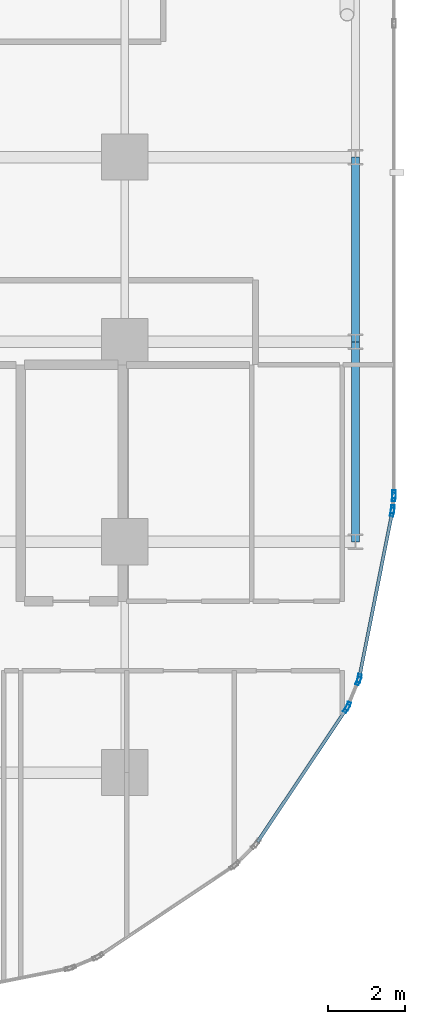
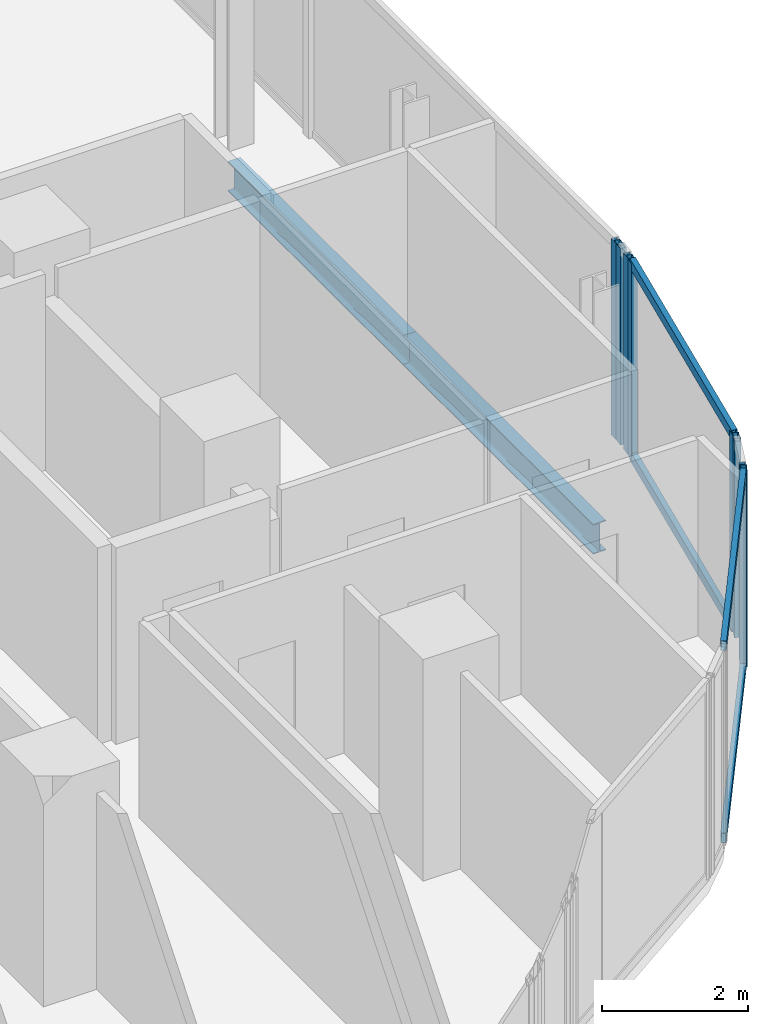
# One storey, part 18 of 34: 12 members, 2 beams, 5 elements without a shape of their own.
"""IFC4 building model written with IfcOpenShell, lengths in metres."""

import ifcopenshell
import ifcopenshell.guid

model = None  # the IFC model being written
_history = None  # IfcOwnerHistory: only IFC2X3 demands one
_inside = {}  # id of a spatial element -> (the spatial element, [elements in it])
_under = {}  # id of a project, library or spatial element -> (it, [spatial elements below it])
_declared = {}  # id of a project -> (the project, [libraries it declares])
_typed = {}  # id of a type object -> (the type object, [elements of that type])
_made_of = {}  # id of a material, layer set ... -> (it, [elements and type objects made of it])


def new_model(schema):
    """Start an empty IFC model of exactly this schema.

    Asked for "IFC4X3", IfcOpenShell would pick the latest addendum, in which some entities
    have other attributes; the version numbers below select the first issue.
    IFC2X3 requires an IfcOwnerHistory on every rooted entity: one is made here for all.
    """
    global model, _history
    if schema == "IFC4X3":
        model = ifcopenshell.file(schema_version=(4, 3, 0, 0))
    else:
        model = ifcopenshell.file(schema=schema)
    _inside.clear()
    _under.clear()
    _declared.clear()
    _typed.clear()
    _made_of.clear()
    _history = None
    if model.schema == "IFC2X3":
        org = make("IfcOrganization", Name="unknown")
        user = make(
            "IfcPersonAndOrganization",
            ThePerson=make("IfcPerson", FamilyName="unknown"),
            TheOrganization=org,
        )
        app = make(
            "IfcApplication",
            ApplicationDeveloper=org,
            Version="unknown",
            ApplicationFullName="unknown",
            ApplicationIdentifier="unknown",
        )
        _history = make(
            "IfcOwnerHistory",
            OwningUser=user,
            OwningApplication=app,
            ChangeAction="ADDED",
            CreationDate=0,
        )
    return model


def make(cls, **values):
    """One entity of the class cls with the attributes given. An attribute that is None is left unset."""
    return model.create_entity(
        cls, **{name: value for name, value in values.items() if value is not None}
    )


def rooted(cls, **values):
    """An entity with a GlobalId (a new one), such as an element, a storey or a relation."""
    return make(cls, GlobalId=ifcopenshell.guid.new(), OwnerHistory=_history, **values)


def si_unit(unit_type, name, prefix=None):
    """IfcSIUnit, for example si_unit("LENGTHUNIT", "METRE", prefix="MILLI")."""
    return make("IfcSIUnit", UnitType=unit_type, Prefix=prefix, Name=name)


def assignment(units):
    """IfcUnitAssignment: the units of a project."""
    return None if units is None else make("IfcUnitAssignment", Units=units)


def point(xyz):
    """IfcCartesianPoint."""
    return None if xyz is None else make("IfcCartesianPoint", Coordinates=xyz)


def direction(xyz):
    """IfcDirection."""
    return None if xyz is None else make("IfcDirection", DirectionRatios=xyz)


def frame(location, z_axis=None, x_axis=None):
    """IfcAxis2Placement3D, a coordinate frame: its origin and axes. An axis left out is left unset."""
    return make(
        "IfcAxis2Placement3D",
        Location=point(location),
        Axis=direction(z_axis),
        RefDirection=direction(x_axis),
    )


def frame_2d(location, x_axis=None):
    """IfcAxis2Placement2D, a coordinate frame in the plane: its origin and x axis."""
    return make(
        "IfcAxis2Placement2D", Location=point(location), RefDirection=direction(x_axis)
    )


def origin():
    """The frame at (0, 0, 0) with its axes left unset."""
    return frame((0.0, 0.0, 0.0))


def origin_2d():
    """The frame at (0, 0) in the plane with its x axis left unset."""
    return frame_2d((0.0, 0.0))


def place(relative_to, where):
    """IfcLocalPlacement: puts the frame where relative to a parent placement (None: the world)."""
    return make(
        "IfcLocalPlacement", PlacementRelTo=relative_to, RelativePlacement=where
    )


def context(
    kind, dimensions, precision=None, world=None, true_north=None, identifier=None
):
    """IfcGeometricRepresentationContext, for example the 3D "Model" context."""
    return make(
        "IfcGeometricRepresentationContext",
        ContextIdentifier=identifier,
        ContextType=kind,
        CoordinateSpaceDimension=dimensions,
        Precision=precision,
        WorldCoordinateSystem=world,
        TrueNorth=true_north,
    )


def subcontext(parent, identifier, kind, view, scale=None):
    """IfcGeometricRepresentationSubContext, for example "Body" below "Model"."""
    return make(
        "IfcGeometricRepresentationSubContext",
        ContextIdentifier=identifier,
        ContextType=kind,
        ParentContext=parent,
        TargetScale=scale,
        TargetView=view,
    )


def project(units=None, contexts=None):
    """IfcProject with its units and contexts."""
    return rooted(
        "IfcProject",
        Name="project",
        RepresentationContexts=contexts,
        UnitsInContext=assignment(units),
    )


def spatial(cls, under=None, at=None, **own):
    """A site, building, storey or space (cls), placed at a placement, below another one or the project."""
    s = rooted(cls, ObjectPlacement=at, **own)
    if under is not None:
        _under.setdefault(under.id(), (under, []))[1].append(s)
    return s


def profile(cls, at=None, kind="AREA", **sizes):
    """A parametric profile (cls). Its sizes go by their IFC names, for example OverallWidth=200.0."""
    return make(cls, ProfileType=kind, Position=at, **sizes)


def hollow_rectangle(**sizes):
    """IfcRectangleHollowProfileDef."""
    return profile("IfcRectangleHollowProfileDef", **sizes)


def i_section(**sizes):
    """IfcIShapeProfileDef."""
    return profile("IfcIShapeProfileDef", **sizes)


def extrude(swept, where, along, depth):
    """IfcExtrudedAreaSolid: the profile swept, set in the frame where, extruded along a direction by depth."""
    return make(
        "IfcExtrudedAreaSolid",
        SweptArea=swept,
        Position=where,
        ExtrudedDirection=direction(along),
        Depth=depth,
    )


def shape(context_of_items, identifier, shape_type, items):
    """IfcShapeRepresentation: the items that make up one representation, for example the "Body"."""
    return make(
        "IfcShapeRepresentation",
        ContextOfItems=context_of_items,
        RepresentationIdentifier=identifier,
        RepresentationType=shape_type,
        Items=items,
    )


def material(Name=None, Category=None):
    """IfcMaterial."""
    return make("IfcMaterial", Name=Name, Category=Category)


def layer(
    of_material, thickness, ventilated=None, Name=None, Category=None, Priority=None
):
    """IfcMaterialLayer: one layer of a wall or slab, of a material (None: an air gap)."""
    return make(
        "IfcMaterialLayer",
        Material=of_material,
        LayerThickness=thickness,
        IsVentilated=ventilated,
        Name=Name,
        Category=Category,
        Priority=Priority,
    )


def layer_set(layers, Name=None):
    """IfcMaterialLayerSet."""
    return make("IfcMaterialLayerSet", MaterialLayers=layers, LayerSetName=Name)


def material_profile(
    of_material, cross_section, Name=None, Category=None, Priority=None
):
    """IfcMaterialProfile: a cross section and its material."""
    return make(
        "IfcMaterialProfile",
        Name=Name,
        Material=of_material,
        Profile=cross_section,
        Priority=Priority,
        Category=Category,
    )


def profile_set(profiles, Name=None, composite=None):
    """IfcMaterialProfileSet."""
    return make(
        "IfcMaterialProfileSet",
        Name=Name,
        MaterialProfiles=profiles,
        CompositeProfile=composite,
    )


def made_of(thing, what):
    """Note that an element or type object is made of a material, layer set ...; save() writes the relation."""
    if what is not None:
        _made_of.setdefault(what.id(), (what, []))[1].append(thing)
    return thing


def type_object(cls, material=None, **own):
    """A type object (cls), such as IfcWallType, which elements share."""
    return made_of(rooted(cls, **own), material)


def element(
    cls,
    number,
    at=None,
    inside=None,
    cuts=None,
    type_object=None,
    material=None,
    context=None,
    identifier="Body",
    shape_type=None,
    held_by="IfcProductDefinitionShape",
    body=None,
    shapes=None,
    **own,
):
    """One element of the class cls, such as IfcWall. Its Tag is "e" and its number.

    at: its placement. inside: the storey or other place that contains it. cuts: it is an
    opening in that element (IfcRelVoidsElement). A single representation is given by context,
    identifier, shape_type and body (its items); several are given by shapes. held_by: the class
    of the entity that holds the representations. save() writes the other relations.
    """
    e = rooted(cls, Tag="e%d" % number, ObjectPlacement=at, **own)
    if body is not None:
        shapes = [shape(context, identifier, shape_type, body)]
    if shapes is not None:
        e.Representation = make(held_by, Representations=shapes)
    if inside is not None:
        _inside.setdefault(inside.id(), (inside, []))[1].append(e)
    if cuts is not None:
        rooted(
            "IfcRelVoidsElement", RelatingBuildingElement=cuts, RelatedOpeningElement=e
        )
    if type_object is not None:
        _typed.setdefault(type_object.id(), (type_object, []))[1].append(e)
    return made_of(e, material)


def aggregate(whole, parts):
    """IfcRelAggregates: a whole, such as a stair, and the parts it consists of."""
    return rooted("IfcRelAggregates", RelatingObject=whole, RelatedObjects=parts)


def save(model, path):
    """Write the relations noted so far, then the file.

    IfcRelAggregates (storeys below a building ...), IfcRelContainedInSpatialStructure (elements
    in a storey), IfcRelDefinesByType, IfcRelAssociatesMaterial and IfcRelDeclares: one each for
    every whole, place, type object, material and project.
    """
    for whole, parts in _under.values():
        aggregate(whole, parts)
    for where, things in _inside.values():
        rooted(
            "IfcRelContainedInSpatialStructure",
            RelatedElements=things,
            RelatingStructure=where,
        )
    for kind, things in _typed.values():
        rooted("IfcRelDefinesByType", RelatedObjects=things, RelatingType=kind)
    for what, things in _made_of.values():
        rooted("IfcRelAssociatesMaterial", RelatedObjects=things, RelatingMaterial=what)
    for by, libraries in _declared.values():
        rooted("IfcRelDeclares", RelatingContext=by, RelatedDefinitions=libraries)
    model.write(path)


model = new_model("IFC4")

# Units and contexts
model_context = context("Model", 3, precision=1e-05, world=origin(), true_north=direction((0.0, 1.0)))
body_context = subcontext(model_context, "Body", "Model", "MODEL_VIEW")
ifc_project = project(units=[si_unit("LENGTHUNIT", "METRE"), si_unit("AREAUNIT", "SQUARE_METRE"), si_unit("VOLUMEUNIT", "CUBIC_METRE"), si_unit("PLANEANGLEUNIT", "RADIAN"), si_unit("MASSUNIT", "GRAM", prefix="KILO")], contexts=[model_context])

# Site, building, storey
site_placement = place(None, origin())
site = spatial("IfcSite", under=ifc_project, at=site_placement, CompositionType="ELEMENT")
building_placement = place(site_placement, origin())
building = spatial("IfcBuilding", under=site, at=building_placement, Name="Keshet Zoharim Tower", CompositionType="ELEMENT")
storey_placement = place(building_placement, frame((0.0, 0.0, 77.5)))
storey = spatial("IfcBuildingStorey", under=building, at=storey_placement, Name="L18", CompositionType="ELEMENT", Elevation=77.5)

# Beams
ifc_material_1 = material(Name="Steel S355", Category="steel")
ifc_material_profile_1 = material_profile(ifc_material_1, i_section(OverallWidth=0.199951171875, OverallDepth=0.5, WebThickness=0.01025390625, FlangeThickness=0.01611328125, FilletRadius=0.02099609375, at=origin_2d()), Name="IPE500")
ifc_profile_set_1 = profile_set([ifc_material_profile_1], Name="Steel S355")
beam_type = type_object("IfcBeamType", Name="BM-PRI-IP500", PredefinedType="BEAM", material=ifc_profile_set_1)
beam_1_placement = place(storey_placement, frame((69.0, 12.699951171875, -0.56494140625), z_axis=(0.0, 1.0, 0.0), x_axis=(-1.0, 0.0, 0.0)))
element("IfcBeam", 1, at=beam_1_placement, inside=storey, type_object=beam_type, Name="L18 Primary Girder Y-023", PredefinedType="BEAM", context=body_context, shape_type="SweptSolid", body=[
    extrude(i_section(OverallWidth=0.199951171875, OverallDepth=0.5, WebThickness=0.01025390625, FlangeThickness=0.01611328125, FilletRadius=0.02099609375, at=origin_2d()), origin(), (0.0, 0.0, 1.0), 5.199951171875),
])
beam_2_placement = place(storey_placement, frame((69.0, 17.89990234375, -0.56494140625), z_axis=(0.0, 1.0, 0.0), x_axis=(-1.0, 0.0, 0.0)))
element("IfcBeam", 2, at=beam_2_placement, inside=storey, type_object=beam_type, Name="L18 Primary Girder Y-024", PredefinedType="BEAM", context=body_context, shape_type="SweptSolid", body=[
    extrude(i_section(OverallWidth=0.199951171875, OverallDepth=0.5, WebThickness=0.01025390625, FlangeThickness=0.01611328125, FilletRadius=0.02099609375, at=origin_2d()), origin(), (0.0, 0.0, 1.0), 4.800048828125),
])

# Curtain wall, member
ifc_material_2 = material(Name="Aluminium 6063-T6", Category="aluminium")
ifc_layer_1 = layer(ifc_material_2, 0.169921875)
ifc_layer_set_1 = layer_set([ifc_layer_1], Name="Aluminium 6063-T6")
curtain_wall_type_1 = type_object("IfcCurtainWallType", Name="CW-SYS-02", PredefinedType="NOTDEFINED", material=ifc_layer_set_1)
curtain_wall_1_placement = place(storey_placement, origin())
curtain_wall_1 = element("IfcCurtainWall", 3, at=curtain_wall_1_placement, inside=storey, type_object=curtain_wall_type_1, Name="L18 Unitised Curtain Wall 16 Part 3", PredefinedType="NOTDEFINED")
ifc_material_profile_2 = material_profile(ifc_material_2, hollow_rectangle(XDim=0.090087890625, YDim=0.219970703125, WallThickness=0.0048828125, at=origin_2d()), Name="MUL-90x220")
ifc_profile_set_2 = profile_set([ifc_material_profile_2], Name="Aluminium 6063-T6")
member_type_1 = type_object("IfcMemberType", Name="CWM-M22", PredefinedType="MULLION", material=ifc_profile_set_2)
member_1_placement = place(storey_placement, frame((70.0, 13.931884765625, 0.0), z_axis=(0.0, 0.0, 1.0), x_axis=(1.0, 0.0, 0.0)))
member_1 = element("IfcMember", 4, at=member_1_placement, type_object=member_type_1, Name="CW-02 mullion 2", PredefinedType="MULLION", context=body_context, shape_type="SweptSolid", body=[
    extrude(hollow_rectangle(XDim=0.090087890625, YDim=0.219970703125, WallThickness=0.0048828125, at=origin_2d()), origin(), (0.0, 0.0, 1.0), 3.280029296875),
])
aggregate(curtain_wall_1, [member_1])

# Curtain wall, members
curtain_wall_2_placement = place(storey_placement, origin())
curtain_wall_2 = element("IfcCurtainWall", 5, at=curtain_wall_2_placement, inside=storey, type_object=curtain_wall_type_1, Name="L18 Unitised Curtain Wall 17", PredefinedType="NOTDEFINED")
member_2_placement = place(storey_placement, frame((69.99658203125, 13.862060546875, 0.0), z_axis=(0.0, 0.0, 1.0), x_axis=(0.995286657009, -0.096976648633, 0.0)))
member_2 = element("IfcMember", 6, at=member_2_placement, type_object=member_type_1, Name="CW-02 mullion 1", PredefinedType="MULLION", context=body_context, shape_type="SweptSolid", body=[
    extrude(hollow_rectangle(XDim=0.090087890625, YDim=0.219970703125, WallThickness=0.0048828125, at=origin_2d()), origin(), (0.0, 0.0, 1.0), 3.280029296875),
])
member_3_placement = place(storey_placement, frame((69.96533203125, 13.541748046875, 0.0), z_axis=(0.0, 0.0, 1.0), x_axis=(0.995286657009, -0.096976648633, 0.0)))
member_3 = element("IfcMember", 7, at=member_3_placement, type_object=member_type_1, Name="CW-02 mullion 2", PredefinedType="MULLION", context=body_context, shape_type="SweptSolid", body=[
    extrude(hollow_rectangle(XDim=0.090087890625, YDim=0.219970703125, WallThickness=0.0048828125, at=origin_2d()), origin(), (0.0, 0.0, 1.0), 3.280029296875),
])
aggregate(curtain_wall_2, [member_2, member_3])

curtain_wall_3_placement = place(storey_placement, origin())
curtain_wall_3 = element("IfcCurtainWall", 8, at=curtain_wall_3_placement, inside=storey, type_object=curtain_wall_type_1, Name="L18 Unitised Curtain Wall 18", PredefinedType="NOTDEFINED")
member_4_placement = place(storey_placement, frame((69.955078125, 13.47265625, 0.0), z_axis=(0.0, 0.0, 1.0), x_axis=(0.98076917357, -0.195171279072, 0.0)))
member_4 = element("IfcMember", 9, at=member_4_placement, type_object=member_type_1, Name="CW-02 mullion 1", PredefinedType="MULLION", context=body_context, shape_type="SweptSolid", body=[
    extrude(hollow_rectangle(XDim=0.090087890625, YDim=0.219970703125, WallThickness=0.0048828125, at=origin_2d()), origin(), (0.0, 0.0, 1.0), 3.280029296875),
])
member_5_placement = place(storey_placement, frame((69.0947265625, 9.1494140625, 0.0), z_axis=(0.0, 0.0, 1.0), x_axis=(0.98076917357, -0.195171279072, 0.0)))
member_5 = element("IfcMember", 10, at=member_5_placement, type_object=member_type_1, Name="CW-02 mullion 2", PredefinedType="MULLION", context=body_context, shape_type="SweptSolid", body=[
    extrude(hollow_rectangle(XDim=0.090087890625, YDim=0.219970703125, WallThickness=0.0048828125, at=origin_2d()), origin(), (0.0, 0.0, 1.0), 3.280029296875),
])

ifc_layer_2 = layer(ifc_material_2, 0.179931640625)
ifc_layer_set_2 = layer_set([ifc_layer_2], Name="Aluminium 6063-T6")
curtain_wall_type_2 = type_object("IfcCurtainWallType", Name="CW-SYS-01", PredefinedType="NOTDEFINED", material=ifc_layer_set_2)
curtain_wall_4_placement = place(storey_placement, origin())
curtain_wall_4 = element("IfcCurtainWall", 11, at=curtain_wall_4_placement, inside=storey, type_object=curtain_wall_type_2, Name="L18 Unitised Curtain Wall 19", PredefinedType="NOTDEFINED")
member_6_placement = place(storey_placement, frame((69.07470703125, 9.082763671875, 0.0), z_axis=(0.0, 0.0, 1.0), x_axis=(0.923720000557, -0.383068349739, 0.0)))
member_6 = element("IfcMember", 12, at=member_6_placement, type_object=member_type_1, Name="CW-01 mullion 1", PredefinedType="MULLION", context=body_context, shape_type="SweptSolid", body=[
    extrude(hollow_rectangle(XDim=0.090087890625, YDim=0.219970703125, WallThickness=0.0048828125, at=origin_2d()), origin(), (0.0, 0.0, 1.0), 3.280029296875),
])
member_7_placement = place(storey_placement, frame((68.802490234375, 8.42626953125, 0.0), z_axis=(0.0, 0.0, 1.0), x_axis=(0.923720000557, -0.383068349739, 0.0)))
member_7 = element("IfcMember", 13, at=member_7_placement, type_object=member_type_1, Name="CW-01 mullion 2", PredefinedType="MULLION", context=body_context, shape_type="SweptSolid", body=[
    extrude(hollow_rectangle(XDim=0.090087890625, YDim=0.219970703125, WallThickness=0.0048828125, at=origin_2d()), origin(), (0.0, 0.0, 1.0), 3.280029296875),
])
aggregate(curtain_wall_4, [member_6, member_7])

# Curtain wall, member
curtain_wall_5_placement = place(storey_placement, origin())
curtain_wall_5 = element("IfcCurtainWall", 14, at=curtain_wall_5_placement, inside=storey, type_object=curtain_wall_type_2, Name="L18 Unitised Curtain Wall 20", PredefinedType="NOTDEFINED")
member_8_placement = place(storey_placement, frame((68.76953125, 8.364990234375, 0.0), z_axis=(0.0, 0.0, 1.0), x_axis=(0.831474282335, -0.555563243758, 0.0)))
member_8 = element("IfcMember", 15, at=member_8_placement, type_object=member_type_1, Name="CW-01 mullion 1", PredefinedType="MULLION", context=body_context, shape_type="SweptSolid", body=[
    extrude(hollow_rectangle(XDim=0.090087890625, YDim=0.219970703125, WallThickness=0.0048828125, at=origin_2d()), origin(), (0.0, 0.0, 1.0), 3.280029296875),
])

# Member
ifc_material_profile_3 = material_profile(ifc_material_2, hollow_rectangle(XDim=0.0849609375, YDim=0.159912109375, WallThickness=0.00439453125, at=origin_2d()), Name="TRN-85x160")
ifc_profile_set_3 = profile_set([ifc_material_profile_3], Name="Aluminium 6063-T6")
member_type_2 = type_object("IfcMemberType", Name="CWT-T16", PredefinedType="USERDEFINED", material=ifc_profile_set_3)
member_9_placement = place(storey_placement, frame((69.9482421875, 13.438232421875, 0.034912109375), z_axis=(-0.195174459131, -0.980768540739, 0.0), x_axis=(0.980768540739, -0.195174459131, 0.0)))
member_9 = element("IfcMember", 16, at=member_9_placement, type_object=member_type_2, Name="CW-02 transom 1.1", ObjectType="TRANSOM", PredefinedType="USERDEFINED", context=body_context, shape_type="SweptSolid", body=[
    extrude(hollow_rectangle(XDim=0.0849609375, YDim=0.159912109375, WallThickness=0.00439453125, at=origin_2d()), origin(), (0.0, 0.0, 1.0), 4.338134765625),
])

member_10_placement = place(storey_placement, frame((69.9482421875, 13.438232421875, 3.2451171875), z_axis=(-0.195174459131, -0.980768540739, 0.0), x_axis=(0.980768540739, -0.195174459131, 0.0)))
member_10 = element("IfcMember", 17, at=member_10_placement, type_object=member_type_2, Name="CW-02 transom 1.2", ObjectType="TRANSOM", PredefinedType="USERDEFINED", context=body_context, shape_type="SweptSolid", body=[
    extrude(hollow_rectangle(XDim=0.0849609375, YDim=0.159912109375, WallThickness=0.00439453125, at=origin_2d()), origin(), (0.0, 0.0, 1.0), 4.338134765625),
])

aggregate(curtain_wall_3, [member_4, member_5, member_9, member_10])

member_11_placement = place(storey_placement, frame((68.75, 8.335693359375, 0.034912109375), z_axis=(-0.55555796544, -0.831477809106, 0.0), x_axis=(0.831477809106, -0.55555796544, 0.0)))
member_11 = element("IfcMember", 18, at=member_11_placement, type_object=member_type_2, Name="CW-01 transom 1.1", ObjectType="TRANSOM", PredefinedType="USERDEFINED", context=body_context, shape_type="SweptSolid", body=[
    extrude(hollow_rectangle(XDim=0.0849609375, YDim=0.159912109375, WallThickness=0.00439453125, at=origin_2d()), origin(), (0.0, 0.0, 1.0), 4.136474609375),
])

member_12_placement = place(storey_placement, frame((68.75, 8.335693359375, 3.2451171875), z_axis=(-0.55555796544, -0.831477809106, 0.0), x_axis=(0.831477809106, -0.55555796544, 0.0)))
member_12 = element("IfcMember", 19, at=member_12_placement, type_object=member_type_2, Name="CW-01 transom 1.2", ObjectType="TRANSOM", PredefinedType="USERDEFINED", context=body_context, shape_type="SweptSolid", body=[
    extrude(hollow_rectangle(XDim=0.0849609375, YDim=0.159912109375, WallThickness=0.00439453125, at=origin_2d()), origin(), (0.0, 0.0, 1.0), 4.136474609375),
])

aggregate(curtain_wall_5, [member_8, member_11, member_12])

save(model, "model.ifc")
